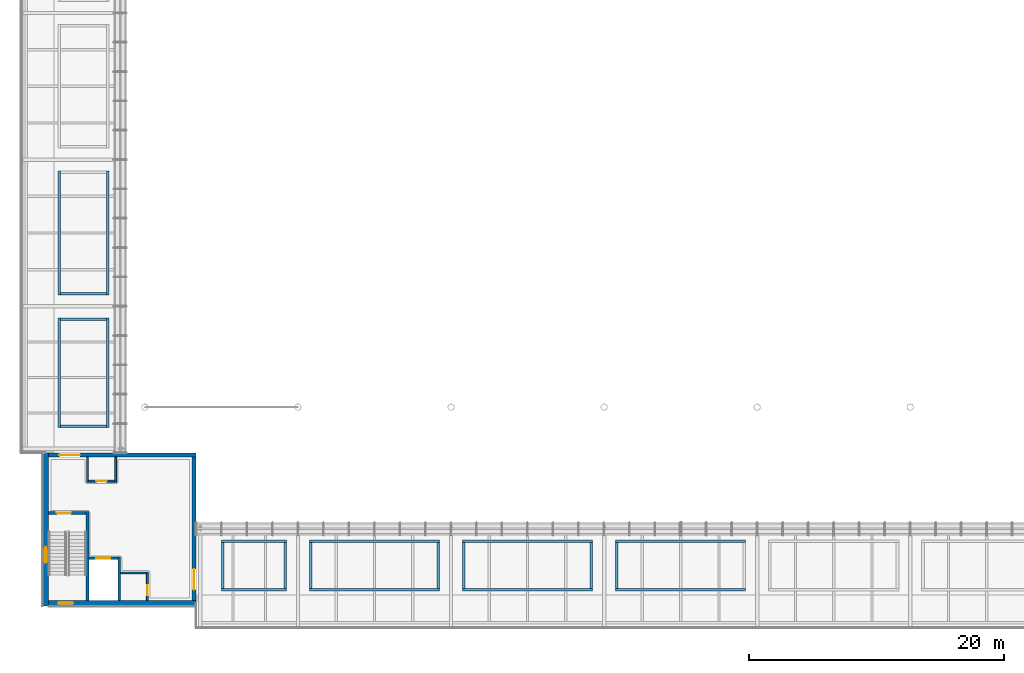
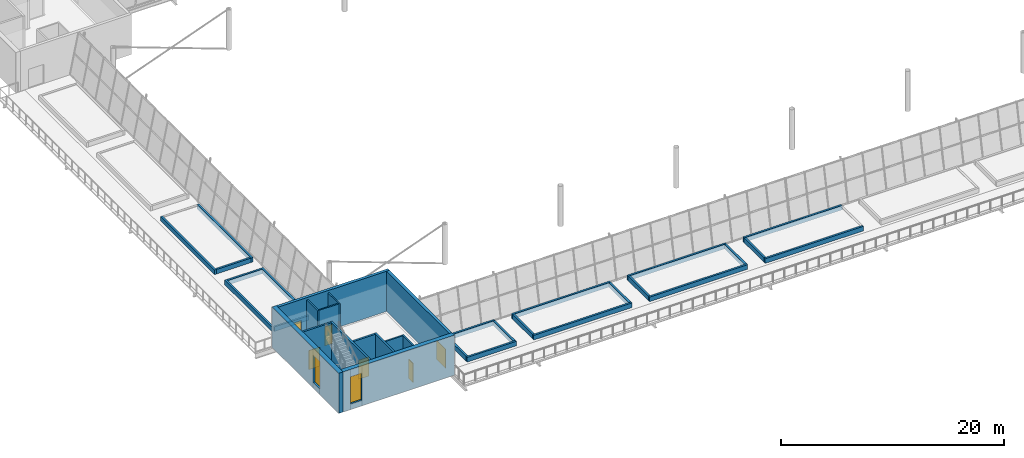
# One storey, part 30 of 58: 35 walls, 6 doors, 2 windows, 8 openings.
"""IFC4 building model written with IfcOpenShell, lengths in metres."""

from ifc_helpers import new_model, si_unit, direction, frame, frame_2d, origin, place, context, subcontext, project, spatial, rectangle, extrude, material, layer, layer_set, type_object, element, fill, save


model = new_model("IFC4")

# Units and contexts
model_context = context("Model", 3, precision=1e-05, world=origin(), true_north=direction((0.0, 1.0)))
body_context = subcontext(model_context, "Body", "Model", "MODEL_VIEW")
ifc_project = project(units=[si_unit("LENGTHUNIT", "METRE"), si_unit("AREAUNIT", "SQUARE_METRE"), si_unit("VOLUMEUNIT", "CUBIC_METRE"), si_unit("PLANEANGLEUNIT", "RADIAN"), si_unit("MASSUNIT", "GRAM", prefix="KILO")], contexts=[model_context])

# Site, building, storey
site_placement = place(None, origin())
site = spatial("IfcSite", under=ifc_project, at=site_placement, CompositionType="ELEMENT")
building_placement = place(site_placement, origin())
building = spatial("IfcBuilding", under=site, at=building_placement, Name="Windward Yard Aquatics Centre", CompositionType="ELEMENT")
storey_placement = place(building_placement, frame((0.0, 0.0, 13.800048828125)))
storey = spatial("IfcBuildingStorey", under=building, at=storey_placement, Name="L03", CompositionType="ELEMENT", Elevation=13.800048828125)

# Wall
ifc_material_1 = material(Name="Concrete C35/45", Category="concrete")
ifc_layer_1 = layer(ifc_material_1, 0.199951171875)
ifc_layer_set_1 = layer_set([ifc_layer_1], Name="H Enclosure Wall Concrete C35/45 200")
wall_type_1 = type_object("IfcWallType", Name="H Enclosure Wall Concrete C35/45 200", PredefinedType="SOLIDWALL", material=ifc_layer_set_1)
wall_1_placement = place(storey_placement, frame((55.5, 26.449951171875, 0.0), z_axis=(0.0, 0.0, 1.0), x_axis=(0.0, 1.0, 0.0)))
element("IfcWall", 1, at=wall_1_placement, inside=storey, type_object=wall_type_1, Name="L03 W1 enclosure wall SW", PredefinedType="SOLIDWALL", context=body_context, shape_type="SweptSolid", body=[
    extrude(rectangle(XDim=6.949951171875, YDim=0.199951171875, at=frame_2d((3.47509765625, 0.0))), origin(), (0.0, 0.0, 1.0), 4.39990234375),
])

# Wall, opening, door
wall_2_placement = place(storey_placement, frame((52.449951171875, 33.300048828125, 0.0), z_axis=(0.0, 0.0, 1.0), x_axis=(1.0, 0.0, 0.0)))
wall_2 = element("IfcWall", 2, at=wall_2_placement, inside=storey, type_object=wall_type_1, Name="L03 W2 enclosure wall SW", PredefinedType="SOLIDWALL", context=body_context, shape_type="SweptSolid", body=[
    extrude(rectangle(XDim=2.949951171875, YDim=0.199951171875, at=frame_2d((1.47509765625, 0.0))), origin(), (0.0, 0.0, 1.0), 4.39990234375),
])
opening_1_placement = place(wall_2_placement, frame((0.64990234375, 0.0, 0.0)))
opening_1 = element("IfcOpeningElement", 3, at=opening_1_placement, cuts=wall_2, Name="Opening H3001", PredefinedType="OPENING", context=body_context, shape_type="SweptSolid", body=[
    extrude(rectangle(XDim=1.10009765625, YDim=2.10009765625, at=frame_2d((0.550048828125, 1.050048828125))), frame((0.0, 0.10986328125, 0.0), z_axis=(0.0, -1.0, 0.0), x_axis=(1.0, 0.0, 0.0)), (0.0, 0.0, 1.0), 0.219970703125),
])
ifc_material_2 = material(Name="Steel and timber door leaf", Category="steel")
door_type_1 = type_object("IfcDoorType", Name="H Door Single 1100 x 2100 FD60", OperationType="NOTDEFINED", PredefinedType="DOOR", material=ifc_material_2)
door_1_placement = place(opening_1_placement, origin())
door_1 = element("IfcDoor", 4, at=door_1_placement, inside=storey, type_object=door_type_1, Name="L03 stair SW door", OperationType="SINGLE_SWING_RIGHT", OverallHeight=2.10009765625, OverallWidth=1.10009765625, PredefinedType="DOOR", context=body_context, shape_type="SweptSolid", body=[
    extrude(rectangle(XDim=1.10009765625, YDim=2.10009765625, at=frame_2d((0.550048828125, 1.050048828125))), frame((0.0, 0.02490234375, 0.0), z_axis=(0.0, -1.0, 0.0), x_axis=(1.0, 0.0, 0.0)), (0.0, 0.0, 1.0), 0.050048828125),
])
fill(opening_1, door_1)

# Wall
wall_3_placement = place(storey_placement, frame((58.0, 26.449951171875, 0.0), z_axis=(0.0, 0.0, 1.0), x_axis=(0.0, 1.0, 0.0)))
element("IfcWall", 5, at=wall_3_placement, inside=storey, type_object=wall_type_1, Name="L03 W3 enclosure wall SW", PredefinedType="SOLIDWALL", context=body_context, shape_type="SweptSolid", body=[
    extrude(rectangle(XDim=3.400146484375, YDim=0.199951171875, at=frame_2d((1.7001953125, 0.0))), origin(), (0.0, 0.0, 1.0), 4.39990234375),
])

# Wall, opening, door
wall_4_placement = place(storey_placement, frame((55.60009765625, 29.75, 0.0), z_axis=(0.0, 0.0, 1.0), x_axis=(1.0, 0.0, 0.0)))
wall_4 = element("IfcWall", 6, at=wall_4_placement, inside=storey, type_object=wall_type_1, Name="L03 W4 enclosure wall SW", PredefinedType="SOLIDWALL", context=body_context, shape_type="SweptSolid", body=[
    extrude(rectangle(XDim=2.2998046875, YDim=0.199951171875, at=frame_2d((1.14990234375, 0.0))), origin(), (0.0, 0.0, 1.0), 4.39990234375),
])
opening_2_placement = place(wall_4_placement, frame((0.60009765625, 0.0, 0.0)))
opening_2 = element("IfcOpeningElement", 7, at=opening_2_placement, cuts=wall_4, Name="Opening H3002", PredefinedType="OPENING", context=body_context, shape_type="SweptSolid", body=[
    extrude(rectangle(XDim=1.10009765625, YDim=2.10009765625, at=frame_2d((0.550048828125, 1.050048828125))), frame((0.0, 0.10986328125, 0.0), z_axis=(0.0, -1.0, 0.0), x_axis=(1.0, 0.0, 0.0)), (0.0, 0.0, 1.0), 0.219970703125),
])
ifc_material_3 = material(Name="Stainless steel 1.4301", Category="steel")
door_type_2 = type_object("IfcDoorType", Name="H Lift Landing Door 1100 x 2100", OperationType="DOUBLE_DOOR_SLIDING", PredefinedType="DOOR", material=ifc_material_3)
door_2_placement = place(opening_2_placement, origin())
door_2 = element("IfcDoor", 8, at=door_2_placement, inside=storey, type_object=door_type_2, Name="Lift SW landing door L03", OperationType="DOUBLE_DOOR_SLIDING", OverallHeight=2.10009765625, OverallWidth=1.10009765625, PredefinedType="DOOR", context=body_context, shape_type="SweptSolid", body=[
    extrude(rectangle(XDim=1.10009765625, YDim=2.10009765625, at=frame_2d((0.550048828125, 1.050048828125))), frame((0.0, 0.02490234375, 0.0), z_axis=(0.0, -1.0, 0.0), x_axis=(1.0, 0.0, 0.0)), (0.0, 0.0, 1.0), 0.050048828125),
])
fill(opening_2, door_2)

# Wall
ifc_material_4 = material(Name="Blockwork 150 mm", Category="masonry")
ifc_layer_2 = layer(ifc_material_4, 0.14990234375)
ifc_layer_set_2 = layer_set([ifc_layer_2], Name="H Partition Blockwork 150")
wall_type_2 = type_object("IfcWallType", Name="H Partition Blockwork 150", PredefinedType="PARTITIONING", material=ifc_layer_set_2)
wall_5_placement = place(storey_placement, frame((58.10009765625, 28.60009765625, 0.0), z_axis=(0.0, 0.0, 1.0), x_axis=(1.0, 0.0, 0.0)))
element("IfcWall", 9, at=wall_5_placement, inside=storey, type_object=wall_type_2, Name="L03 R1N riser wall SW", PredefinedType="PARTITIONING", context=body_context, shape_type="SweptSolid", body=[
    extrude(rectangle(XDim=2.02490234375, YDim=0.14990234375, at=frame_2d((1.012451171875, 0.0))), origin(), (0.0, 0.0, 1.0), 4.14990234375),
])

# Wall, opening, door
wall_6_placement = place(storey_placement, frame((60.199951171875, 26.449951171875, 0.0), z_axis=(0.0, 0.0, 1.0), x_axis=(0.0, 1.0, 0.0)))
wall_6 = element("IfcWall", 10, at=wall_6_placement, inside=storey, type_object=wall_type_2, Name="L03 R1E riser wall SW", PredefinedType="PARTITIONING", context=body_context, shape_type="SweptSolid", body=[
    extrude(rectangle(XDim=2.22509765625, YDim=0.14990234375, at=frame_2d((1.112548828125, 0.0))), origin(), (0.0, 0.0, 1.0), 4.14990234375),
])
opening_3_placement = place(wall_6_placement, frame((0.39990234375, 0.0, 0.0)))
opening_3 = element("IfcOpeningElement", 11, at=opening_3_placement, cuts=wall_6, Name="Opening H3003", PredefinedType="OPENING", context=body_context, shape_type="SweptSolid", body=[
    extrude(rectangle(XDim=0.800048828125, YDim=2.10009765625, at=frame_2d((0.39990234375, 1.050048828125))), frame((0.0, 0.0849609375, 0.0), z_axis=(0.0, -1.0, 0.0), x_axis=(1.0, 0.0, 0.0)), (0.0, 0.0, 1.0), 0.169921875),
])
door_type_3 = type_object("IfcDoorType", Name="H Door Riser 800 x 2100 FD60", OperationType="NOTDEFINED", PredefinedType="DOOR", material=ifc_material_2)
door_3_placement = place(opening_3_placement, origin())
door_3 = element("IfcDoor", 12, at=door_3_placement, inside=storey, type_object=door_type_3, Name="L03 electrical riser SW door", OperationType="SINGLE_SWING_LEFT", OverallHeight=2.10009765625, OverallWidth=0.800048828125, PredefinedType="DOOR", context=body_context, shape_type="SweptSolid", body=[
    extrude(rectangle(XDim=0.800048828125, YDim=2.10009765625, at=frame_2d((0.39990234375, 1.050048828125))), frame((0.0, 0.02490234375, 0.0), z_axis=(0.0, -1.0, 0.0), x_axis=(1.0, 0.0, 0.0)), (0.0, 0.0, 1.0), 0.050048828125),
])
fill(opening_3, door_3)

wall_7_placement = place(storey_placement, frame((55.574951171875, 35.800048828125, 0.0), z_axis=(0.0, 0.0, 1.0), x_axis=(1.0, 0.0, 0.0)))
wall_7 = element("IfcWall", 13, at=wall_7_placement, inside=storey, type_object=wall_type_2, Name="L03 R2S riser wall SW", PredefinedType="PARTITIONING", context=body_context, shape_type="SweptSolid", body=[
    extrude(rectangle(XDim=2.050048828125, YDim=0.14990234375, at=frame_2d((1.02490234375, 0.0))), origin(), (0.0, 0.0, 1.0), 4.14990234375),
])
opening_4_placement = place(wall_7_placement, frame((0.625, 0.0, 0.0)))
opening_4 = element("IfcOpeningElement", 14, at=opening_4_placement, cuts=wall_7, Name="Opening H3004", PredefinedType="OPENING", context=body_context, shape_type="SweptSolid", body=[
    extrude(rectangle(XDim=0.800048828125, YDim=2.10009765625, at=frame_2d((0.39990234375, 1.050048828125))), frame((0.0, 0.0849609375, 0.0), z_axis=(0.0, -1.0, 0.0), x_axis=(1.0, 0.0, 0.0)), (0.0, 0.0, 1.0), 0.169921875),
])
door_4_placement = place(opening_4_placement, origin())
door_4 = element("IfcDoor", 15, at=door_4_placement, inside=storey, type_object=door_type_3, Name="L03 communications riser SW door", OperationType="SINGLE_SWING_RIGHT", OverallHeight=2.10009765625, OverallWidth=0.800048828125, PredefinedType="DOOR", context=body_context, shape_type="SweptSolid", body=[
    extrude(rectangle(XDim=0.800048828125, YDim=2.10009765625, at=frame_2d((0.39990234375, 1.050048828125))), frame((0.0, 0.02490234375, 0.0), z_axis=(0.0, -1.0, 0.0), x_axis=(1.0, 0.0, 0.0)), (0.0, 0.0, 1.0), 0.050048828125),
])
fill(opening_4, door_4)

# Walls
for number, where, z_axis, x_axis, name in (
    (16, (55.5, 35.72509765625, 0.0), (0.0, 0.0, 1.0), (0.0, 1.0, 0.0), "L03 R2W riser wall SW"),
    (17, (57.699951171875, 35.72509765625, 0.0), (0.0, 0.0, 1.0), (0.0, 1.0, 0.0), "L03 R2E riser wall SW"),
):
    element("IfcWall", number, at=place(storey_placement, frame(where, z_axis=z_axis, x_axis=x_axis)), inside=storey, type_object=wall_type_2, Name=name, PredefinedType="PARTITIONING", context=body_context, shape_type="SweptSolid", body=[
        extrude(rectangle(XDim=1.974853515625, YDim=0.14990234375, at=frame_2d((0.9873046875, 0.0))), origin(), (0.0, 0.0, 1.0), 4.14990234375),
    ])
ifc_layer_3 = layer(ifc_material_1, 0.199951171875)
ifc_layer_set_3 = layer_set([ifc_layer_3], Name="H planter kerb wall 200 C35/45")
wall_type_3 = type_object("IfcWallType", Name="H planter kerb wall 200 C35/45", PredefinedType="PARAPET", material=ifc_layer_set_3)
for number, where, z_axis, x_axis, name in (
    (18, (66.0, 27.300048828125, 0.0), (0.0, 0.0, 1.0), (1.0, 0.0, 0.0), "Planting bed T1 S1 kerb S"),
    (19, (66.0, 31.10009765625, 0.0), (0.0, 0.0, 1.0), (1.0, 0.0, 0.0), "Planting bed T1 S1 kerb N"),
):
    element("IfcWall", number, at=place(storey_placement, frame(where, z_axis=z_axis, x_axis=x_axis)), inside=storey, type_object=wall_type_3, Name=name, PredefinedType="PARAPET", context=body_context, shape_type="SweptSolid", body=[
        extrude(rectangle(XDim=5.10009765625, YDim=0.199951171875, at=frame_2d((2.550048828125, 0.0))), origin(), (0.0, 0.0, 1.0), 0.5),
    ])
for number, where, z_axis, x_axis, name in (
    (20, (66.10009765625, 27.39990234375, 0.0), (0.0, 0.0, 1.0), (0.0, 1.0, 0.0), "Planting bed T1 S1 kerb W"),
    (21, (71.0, 27.39990234375, 0.0), (0.0, 0.0, 1.0), (0.0, 1.0, 0.0), "Planting bed T1 S1 kerb E"),
):
    element("IfcWall", number, at=place(storey_placement, frame(where, z_axis=z_axis, x_axis=x_axis)), inside=storey, type_object=wall_type_3, Name=name, PredefinedType="PARAPET", context=body_context, shape_type="SweptSolid", body=[
        extrude(rectangle(XDim=3.60009765625, YDim=0.199951171875, at=frame_2d((1.800048828125, 0.0))), origin(), (0.0, 0.0, 1.0), 0.5),
    ])
for number, where, z_axis, x_axis, name in (
    (22, (72.89990234375, 27.300048828125, 0.0), (0.0, 0.0, 1.0), (1.0, 0.0, 0.0), "Planting bed T1 S2 kerb S"),
    (23, (72.89990234375, 31.10009765625, 0.0), (0.0, 0.0, 1.0), (1.0, 0.0, 0.0), "Planting bed T1 S2 kerb N"),
):
    element("IfcWall", number, at=place(storey_placement, frame(where, z_axis=z_axis, x_axis=x_axis)), inside=storey, type_object=wall_type_3, Name=name, PredefinedType="PARAPET", context=body_context, shape_type="SweptSolid", body=[
        extrude(rectangle(XDim=10.2001953125, YDim=0.199951171875, at=frame_2d((5.10009765625, 0.0))), origin(), (0.0, 0.0, 1.0), 0.5),
    ])
for number, where, z_axis, x_axis, name in (
    (24, (73.0, 27.39990234375, 0.0), (0.0, 0.0, 1.0), (0.0, 1.0, 0.0), "Planting bed T1 S2 kerb W"),
    (25, (83.0, 27.39990234375, 0.0), (0.0, 0.0, 1.0), (0.0, 1.0, 0.0), "Planting bed T1 S2 kerb E"),
):
    element("IfcWall", number, at=place(storey_placement, frame(where, z_axis=z_axis, x_axis=x_axis)), inside=storey, type_object=wall_type_3, Name=name, PredefinedType="PARAPET", context=body_context, shape_type="SweptSolid", body=[
        extrude(rectangle(XDim=3.60009765625, YDim=0.199951171875, at=frame_2d((1.800048828125, 0.0))), origin(), (0.0, 0.0, 1.0), 0.5),
    ])
for number, where, z_axis, x_axis, name in (
    (26, (84.89990234375, 27.300048828125, 0.0), (0.0, 0.0, 1.0), (1.0, 0.0, 0.0), "Planting bed T1 S3 kerb S"),
    (27, (84.89990234375, 31.10009765625, 0.0), (0.0, 0.0, 1.0), (1.0, 0.0, 0.0), "Planting bed T1 S3 kerb N"),
):
    element("IfcWall", number, at=place(storey_placement, frame(where, z_axis=z_axis, x_axis=x_axis)), inside=storey, type_object=wall_type_3, Name=name, PredefinedType="PARAPET", context=body_context, shape_type="SweptSolid", body=[
        extrude(rectangle(XDim=10.2001953125, YDim=0.199951171875, at=frame_2d((5.10009765625, 0.0))), origin(), (0.0, 0.0, 1.0), 0.5),
    ])
for number, where, z_axis, x_axis, name in (
    (28, (85.0, 27.39990234375, 0.0), (0.0, 0.0, 1.0), (0.0, 1.0, 0.0), "Planting bed T1 S3 kerb W"),
    (29, (95.0, 27.39990234375, 0.0), (0.0, 0.0, 1.0), (0.0, 1.0, 0.0), "Planting bed T1 S3 kerb E"),
):
    element("IfcWall", number, at=place(storey_placement, frame(where, z_axis=z_axis, x_axis=x_axis)), inside=storey, type_object=wall_type_3, Name=name, PredefinedType="PARAPET", context=body_context, shape_type="SweptSolid", body=[
        extrude(rectangle(XDim=3.60009765625, YDim=0.199951171875, at=frame_2d((1.800048828125, 0.0))), origin(), (0.0, 0.0, 1.0), 0.5),
    ])
for number, where, z_axis, x_axis, name in (
    (30, (96.89990234375, 27.300048828125, 0.0), (0.0, 0.0, 1.0), (1.0, 0.0, 0.0), "Planting bed T1 S4 kerb S"),
    (31, (96.89990234375, 31.10009765625, 0.0), (0.0, 0.0, 1.0), (1.0, 0.0, 0.0), "Planting bed T1 S4 kerb N"),
):
    element("IfcWall", number, at=place(storey_placement, frame(where, z_axis=z_axis, x_axis=x_axis)), inside=storey, type_object=wall_type_3, Name=name, PredefinedType="PARAPET", context=body_context, shape_type="SweptSolid", body=[
        extrude(rectangle(XDim=10.2001953125, YDim=0.199951171875, at=frame_2d((5.10009765625, 0.0))), origin(), (0.0, 0.0, 1.0), 0.5),
    ])
wall_8_placement = place(storey_placement, frame((97.0, 27.39990234375, 0.0), z_axis=(0.0, 0.0, 1.0), x_axis=(0.0, 1.0, 0.0)))
element("IfcWall", 32, at=wall_8_placement, inside=storey, type_object=wall_type_3, Name="Planting bed T1 S4 kerb W", PredefinedType="PARAPET", context=body_context, shape_type="SweptSolid", body=[
    extrude(rectangle(XDim=3.60009765625, YDim=0.199951171875, at=frame_2d((1.800048828125, 0.0))), origin(), (0.0, 0.0, 1.0), 0.5),
])
for number, where, z_axis, x_axis, name in (
    (33, (53.300048828125, 40.0, 0.0), (0.0, 0.0, 1.0), (0.0, 1.0, 0.0), "Planting bed T1 W1 kerb S"),
    (34, (57.10009765625, 40.0, 0.0), (0.0, 0.0, 1.0), (0.0, 1.0, 0.0), "Planting bed T1 W1 kerb N"),
):
    element("IfcWall", number, at=place(storey_placement, frame(where, z_axis=z_axis, x_axis=x_axis)), inside=storey, type_object=wall_type_3, Name=name, PredefinedType="PARAPET", context=body_context, shape_type="SweptSolid", body=[
        extrude(rectangle(XDim=8.60009765625, YDim=0.199951171875, at=frame_2d((4.300048828125, 0.0))), origin(), (0.0, 0.0, 1.0), 0.5),
    ])
for number, where, z_axis, x_axis, name in (
    (35, (53.39990234375, 40.10009765625, 0.0), (0.0, 0.0, 1.0), (1.0, 0.0, 0.0), "Planting bed T1 W1 kerb W"),
    (36, (53.39990234375, 48.5, 0.0), (0.0, 0.0, 1.0), (1.0, 0.0, 0.0), "Planting bed T1 W1 kerb E"),
):
    element("IfcWall", number, at=place(storey_placement, frame(where, z_axis=z_axis, x_axis=x_axis)), inside=storey, type_object=wall_type_3, Name=name, PredefinedType="PARAPET", context=body_context, shape_type="SweptSolid", body=[
        extrude(rectangle(XDim=3.60009765625, YDim=0.199951171875, at=frame_2d((1.800048828125, 0.0))), origin(), (0.0, 0.0, 1.0), 0.5),
    ])
for number, where, z_axis, x_axis, name in (
    (37, (53.300048828125, 50.39990234375, 0.0), (0.0, 0.0, 1.0), (0.0, 1.0, 0.0), "Planting bed T1 W2 kerb S"),
    (38, (57.10009765625, 50.39990234375, 0.0), (0.0, 0.0, 1.0), (0.0, 1.0, 0.0), "Planting bed T1 W2 kerb N"),
):
    element("IfcWall", number, at=place(storey_placement, frame(where, z_axis=z_axis, x_axis=x_axis)), inside=storey, type_object=wall_type_3, Name=name, PredefinedType="PARAPET", context=body_context, shape_type="SweptSolid", body=[
        extrude(rectangle(XDim=9.7001953125, YDim=0.199951171875, at=frame_2d((4.85009765625, 0.0))), origin(), (0.0, 0.0, 1.0), 0.5),
    ])
wall_9_placement = place(storey_placement, frame((53.39990234375, 50.5, 0.0), z_axis=(0.0, 0.0, 1.0), x_axis=(1.0, 0.0, 0.0)))
element("IfcWall", 39, at=wall_9_placement, inside=storey, type_object=wall_type_3, Name="Planting bed T1 W2 kerb W", PredefinedType="PARAPET", context=body_context, shape_type="SweptSolid", body=[
    extrude(rectangle(XDim=3.60009765625, YDim=0.199951171875, at=frame_2d((1.800048828125, 0.0))), origin(), (0.0, 0.0, 1.0), 0.5),
])

# Wall, opening, window
ifc_material_5 = material(Name="Natural stone cladding", Category="masonry")
ifc_layer_4 = layer(ifc_material_5, 0.04, Name="Cladding")
ifc_material_6 = material(Name="Ventilated air cavity")
ifc_layer_5 = layer(ifc_material_6, 0.05, ventilated=True, Name="Ventilated cavity")
ifc_material_7 = material(Name="Mineral wool insulation")
ifc_layer_6 = layer(ifc_material_7, 0.08, Name="Insulation")
ifc_layer_7 = layer(ifc_material_1, 0.28, Name="Structure")
ifc_layer_set_4 = layer_set([ifc_layer_4, ifc_layer_5, ifc_layer_6, ifc_layer_7], Name="H plinth wall stone faced 450 C35/45")
wall_type_4 = type_object("IfcWallType", Name="H plinth wall stone faced 450 C35/45", PredefinedType="ELEMENTEDWALL", material=ifc_layer_set_4)
wall_10_placement = place(storey_placement, frame((52.22509765625, 26.0, 0.0), z_axis=(0.0, 0.0, 1.0), x_axis=(0.0, 1.0, 0.0)))
wall_10 = element("IfcWall", 40, at=wall_10_placement, inside=storey, type_object=wall_type_4, Name="H.CW.SW.W.L03", PredefinedType="ELEMENTEDWALL", context=body_context, shape_type="SweptSolid", body=[
    extrude(rectangle(XDim=12.0, YDim=0.449951171875, at=frame_2d((6.0, 0.0))), origin(), (0.0, 0.0, 1.0), 4.39990234375),
])
opening_5_placement = place(wall_10_placement, frame((3.39990234375, 0.0, 0.60009765625)))
opening_5 = element("IfcOpeningElement", 41, at=opening_5_placement, cuts=wall_10, Name="Opening W3022", PredefinedType="OPENING", context=body_context, shape_type="SweptSolid", body=[
    extrude(rectangle(XDim=1.199951171875, YDim=3.0, at=frame_2d((0.60009765625, 1.5))), frame((0.0, 0.23486328125, 0.0), z_axis=(0.0, -1.0, 0.0), x_axis=(1.0, 0.0, 0.0)), (0.0, 0.0, 1.0), 0.469970703125),
])
ifc_material_8 = material(Name="Fire-resisting glazing in steel frame", Category="steel")
window_type = type_object("IfcWindowType", Name="H Core Stair Window 1200 x 3000 EI 60", PartitioningType="SINGLE_PANEL", PredefinedType="WINDOW", material=ifc_material_8)
window_1_placement = place(opening_5_placement, origin())
window_1 = element("IfcWindow", 42, at=window_1_placement, inside=storey, type_object=window_type, Name="L03 core SW stair window", OverallHeight=3.0, OverallWidth=1.199951171875, PartitioningType="SINGLE_PANEL", PredefinedType="WINDOW", context=body_context, shape_type="SweptSolid", body=[
    extrude(rectangle(XDim=1.199951171875, YDim=3.0, at=frame_2d((0.60009765625, 1.5))), frame((0.0, 0.030029296875, 0.0), z_axis=(0.0, -1.0, 0.0), x_axis=(1.0, 0.0, 0.0)), (0.0, 0.0, 1.0), 0.06005859375),
])
fill(opening_5, window_1)

wall_11_placement = place(storey_placement, frame((52.449951171875, 26.22509765625, 0.0), z_axis=(0.0, 0.0, 1.0), x_axis=(1.0, 0.0, 0.0)))
wall_11 = element("IfcWall", 43, at=wall_11_placement, inside=storey, type_object=wall_type_4, Name="H.CW.SW.S.L03", PredefinedType="ELEMENTEDWALL", context=body_context, shape_type="SweptSolid", body=[
    extrude(rectangle(XDim=11.550048828125, YDim=0.449951171875, at=frame_2d((5.77490234375, 0.0))), origin(), (0.0, 0.0, 1.0), 4.39990234375),
])
opening_6_placement = place(wall_11_placement, frame((0.75, 0.0, 0.60009765625)))
opening_6 = element("IfcOpeningElement", 44, at=opening_6_placement, cuts=wall_11, Name="Opening W3023", PredefinedType="OPENING", context=body_context, shape_type="SweptSolid", body=[
    extrude(rectangle(XDim=1.199951171875, YDim=3.0, at=frame_2d((0.60009765625, 1.5))), frame((0.0, 0.23486328125, 0.0), z_axis=(0.0, -1.0, 0.0), x_axis=(1.0, 0.0, 0.0)), (0.0, 0.0, 1.0), 0.469970703125),
])
window_2_placement = place(opening_6_placement, origin())
window_2 = element("IfcWindow", 45, at=window_2_placement, inside=storey, type_object=window_type, Name="L03 core SW stair window", OverallHeight=3.0, OverallWidth=1.199951171875, PartitioningType="SINGLE_PANEL", PredefinedType="WINDOW", context=body_context, shape_type="SweptSolid", body=[
    extrude(rectangle(XDim=1.199951171875, YDim=3.0, at=frame_2d((0.60009765625, 1.5))), frame((0.0, 0.030029296875, 0.0), z_axis=(0.0, -1.0, 0.0), x_axis=(1.0, 0.0, 0.0)), (0.0, 0.0, 1.0), 0.06005859375),
])
fill(opening_6, window_2)

# Wall, opening, door
ifc_layer_8 = layer(ifc_material_1, 0.300048828125)
ifc_layer_set_5 = layer_set([ifc_layer_8], Name="H rear wall 300 C35/45")
wall_type_5 = type_object("IfcWallType", Name="H rear wall 300 C35/45", PredefinedType="SOLIDWALL", material=ifc_layer_set_5)
wall_12_placement = place(storey_placement, frame((63.85009765625, 26.449951171875, 0.0), z_axis=(0.0, 0.0, 1.0), x_axis=(0.0, 1.0, 0.0)))
wall_12 = element("IfcWall", 46, at=wall_12_placement, inside=storey, type_object=wall_type_5, Name="H.CW.SW.E.L03", PredefinedType="SOLIDWALL", context=body_context, shape_type="SweptSolid", body=[
    extrude(rectangle(XDim=11.25, YDim=0.300048828125, at=frame_2d((5.625, 0.0))), origin(), (0.0, 0.0, 1.0), 4.39990234375),
])
opening_7_placement = place(wall_12_placement, frame((0.85009765625, 0.0, 0.0)))
opening_7 = element("IfcOpeningElement", 47, at=opening_7_placement, cuts=wall_12, Name="Opening H3005", PredefinedType="OPENING", context=body_context, shape_type="SweptSolid", body=[
    extrude(rectangle(XDim=1.60009765625, YDim=2.10009765625, at=frame_2d((0.800048828125, 1.050048828125))), frame((0.0, 0.16015625, 0.0), z_axis=(0.0, -1.0, 0.0), x_axis=(1.0, 0.0, 0.0)), (0.0, 0.0, 1.0), 0.320068359375),
])
door_type_4 = type_object("IfcDoorType", Name="H Door Double 1600 x 2100 FD60", OperationType="DOUBLE_DOOR_SINGLE_SWING", PredefinedType="DOOR", material=ifc_material_2)
door_5_placement = place(opening_7_placement, origin())
door_5 = element("IfcDoor", 48, at=door_5_placement, inside=storey, type_object=door_type_4, Name="L03 core SW door to strip", OperationType="DOUBLE_DOOR_SINGLE_SWING", OverallHeight=2.10009765625, OverallWidth=1.60009765625, PredefinedType="DOOR", context=body_context, shape_type="SweptSolid", body=[
    extrude(rectangle(XDim=1.60009765625, YDim=2.10009765625, at=frame_2d((0.800048828125, 1.050048828125))), frame((0.0, 0.02490234375, 0.0), z_axis=(0.0, -1.0, 0.0), x_axis=(1.0, 0.0, 0.0)), (0.0, 0.0, 1.0), 0.050048828125),
])
fill(opening_7, door_5)

wall_13_placement = place(storey_placement, frame((52.449951171875, 37.85009765625, 0.0), z_axis=(0.0, 0.0, 1.0), x_axis=(1.0, 0.0, 0.0)))
wall_13 = element("IfcWall", 49, at=wall_13_placement, inside=storey, type_object=wall_type_5, Name="H.CW.SW.N.L03", PredefinedType="SOLIDWALL", context=body_context, shape_type="SweptSolid", body=[
    extrude(rectangle(XDim=11.550048828125, YDim=0.300048828125, at=frame_2d((5.77490234375, 0.0))), origin(), (0.0, 0.0, 1.0), 4.39990234375),
])
opening_8_placement = place(wall_13_placement, frame((0.85009765625, 0.0, 0.0)))
opening_8 = element("IfcOpeningElement", 50, at=opening_8_placement, cuts=wall_13, Name="Opening H3006", PredefinedType="OPENING", context=body_context, shape_type="SweptSolid", body=[
    extrude(rectangle(XDim=1.60009765625, YDim=2.10009765625, at=frame_2d((0.800048828125, 1.050048828125))), frame((0.0, 0.16015625, 0.0), z_axis=(0.0, -1.0, 0.0), x_axis=(1.0, 0.0, 0.0)), (0.0, 0.0, 1.0), 0.320068359375),
])
door_6_placement = place(opening_8_placement, origin())
door_6 = element("IfcDoor", 51, at=door_6_placement, inside=storey, type_object=door_type_4, Name="L03 core SW door to gable", OperationType="DOUBLE_DOOR_SINGLE_SWING", OverallHeight=2.10009765625, OverallWidth=1.60009765625, PredefinedType="DOOR", context=body_context, shape_type="SweptSolid", body=[
    extrude(rectangle(XDim=1.60009765625, YDim=2.10009765625, at=frame_2d((0.800048828125, 1.050048828125))), frame((0.0, 0.02490234375, 0.0), z_axis=(0.0, -1.0, 0.0), x_axis=(1.0, 0.0, 0.0)), (0.0, 0.0, 1.0), 0.050048828125),
])
fill(opening_8, door_6)

save(model, "model.ifc")
